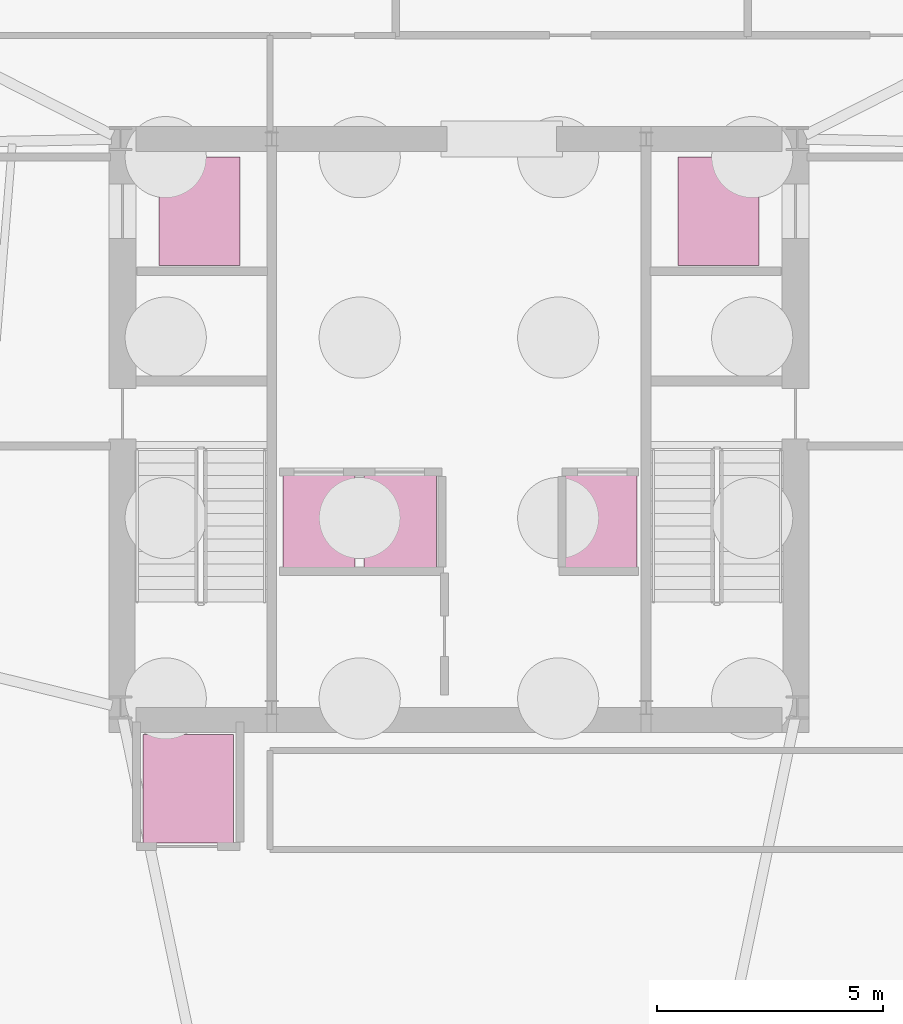
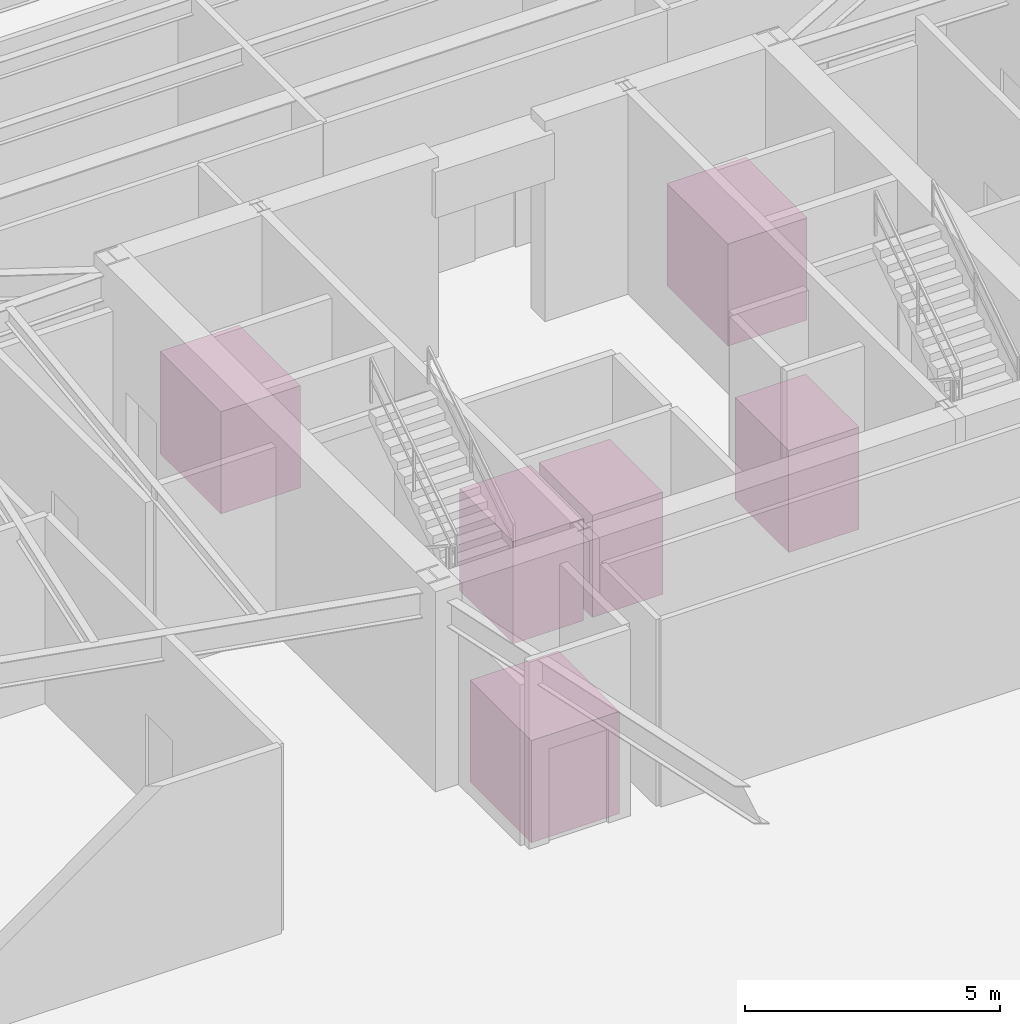
# One storey, part 11 of 11: 6 transport elements.
"""IFC4 building model written with IfcOpenShell, lengths in metres."""

import ifcopenshell
import ifcopenshell.guid

model = None  # the IFC model being written
_history = None  # IfcOwnerHistory: only IFC2X3 demands one
_inside = {}  # id of a spatial element -> (the spatial element, [elements in it])
_under = {}  # id of a project, library or spatial element -> (it, [spatial elements below it])
_declared = {}  # id of a project -> (the project, [libraries it declares])
_typed = {}  # id of a type object -> (the type object, [elements of that type])
_made_of = {}  # id of a material, layer set ... -> (it, [elements and type objects made of it])


def new_model(schema):
    """Start an empty IFC model of exactly this schema.

    Asked for "IFC4X3", IfcOpenShell would pick the latest addendum, in which some entities
    have other attributes; the version numbers below select the first issue.
    IFC2X3 requires an IfcOwnerHistory on every rooted entity: one is made here for all.
    """
    global model, _history
    if schema == "IFC4X3":
        model = ifcopenshell.file(schema_version=(4, 3, 0, 0))
    else:
        model = ifcopenshell.file(schema=schema)
    _inside.clear()
    _under.clear()
    _declared.clear()
    _typed.clear()
    _made_of.clear()
    _history = None
    if model.schema == "IFC2X3":
        org = make("IfcOrganization", Name="unknown")
        user = make(
            "IfcPersonAndOrganization",
            ThePerson=make("IfcPerson", FamilyName="unknown"),
            TheOrganization=org,
        )
        app = make(
            "IfcApplication",
            ApplicationDeveloper=org,
            Version="unknown",
            ApplicationFullName="unknown",
            ApplicationIdentifier="unknown",
        )
        _history = make(
            "IfcOwnerHistory",
            OwningUser=user,
            OwningApplication=app,
            ChangeAction="ADDED",
            CreationDate=0,
        )
    return model


def make(cls, **values):
    """One entity of the class cls with the attributes given. An attribute that is None is left unset."""
    return model.create_entity(
        cls, **{name: value for name, value in values.items() if value is not None}
    )


def rooted(cls, **values):
    """An entity with a GlobalId (a new one), such as an element, a storey or a relation."""
    return make(cls, GlobalId=ifcopenshell.guid.new(), OwnerHistory=_history, **values)


def si_unit(unit_type, name, prefix=None):
    """IfcSIUnit, for example si_unit("LENGTHUNIT", "METRE", prefix="MILLI")."""
    return make("IfcSIUnit", UnitType=unit_type, Prefix=prefix, Name=name)


def assignment(units):
    """IfcUnitAssignment: the units of a project."""
    return None if units is None else make("IfcUnitAssignment", Units=units)


def point(xyz):
    """IfcCartesianPoint."""
    return None if xyz is None else make("IfcCartesianPoint", Coordinates=xyz)


def direction(xyz):
    """IfcDirection."""
    return None if xyz is None else make("IfcDirection", DirectionRatios=xyz)


def frame(location, z_axis=None, x_axis=None):
    """IfcAxis2Placement3D, a coordinate frame: its origin and axes. An axis left out is left unset."""
    return make(
        "IfcAxis2Placement3D",
        Location=point(location),
        Axis=direction(z_axis),
        RefDirection=direction(x_axis),
    )


def frame_2d(location, x_axis=None):
    """IfcAxis2Placement2D, a coordinate frame in the plane: its origin and x axis."""
    return make(
        "IfcAxis2Placement2D", Location=point(location), RefDirection=direction(x_axis)
    )


def origin():
    """The frame at (0, 0, 0) with its axes left unset."""
    return frame((0.0, 0.0, 0.0))


def origin_2d():
    """The frame at (0, 0) in the plane with its x axis left unset."""
    return frame_2d((0.0, 0.0))


def place(relative_to, where):
    """IfcLocalPlacement: puts the frame where relative to a parent placement (None: the world)."""
    return make(
        "IfcLocalPlacement", PlacementRelTo=relative_to, RelativePlacement=where
    )


def context(
    kind, dimensions, precision=None, world=None, true_north=None, identifier=None
):
    """IfcGeometricRepresentationContext, for example the 3D "Model" context."""
    return make(
        "IfcGeometricRepresentationContext",
        ContextIdentifier=identifier,
        ContextType=kind,
        CoordinateSpaceDimension=dimensions,
        Precision=precision,
        WorldCoordinateSystem=world,
        TrueNorth=true_north,
    )


def subcontext(parent, identifier, kind, view, scale=None):
    """IfcGeometricRepresentationSubContext, for example "Body" below "Model"."""
    return make(
        "IfcGeometricRepresentationSubContext",
        ContextIdentifier=identifier,
        ContextType=kind,
        ParentContext=parent,
        TargetScale=scale,
        TargetView=view,
    )


def project(units=None, contexts=None):
    """IfcProject with its units and contexts."""
    return rooted(
        "IfcProject",
        Name="project",
        RepresentationContexts=contexts,
        UnitsInContext=assignment(units),
    )


def spatial(cls, under=None, at=None, **own):
    """A site, building, storey or space (cls), placed at a placement, below another one or the project."""
    s = rooted(cls, ObjectPlacement=at, **own)
    if under is not None:
        _under.setdefault(under.id(), (under, []))[1].append(s)
    return s


def profile(cls, at=None, kind="AREA", **sizes):
    """A parametric profile (cls). Its sizes go by their IFC names, for example OverallWidth=200.0."""
    return make(cls, ProfileType=kind, Position=at, **sizes)


def rectangle(**sizes):
    """IfcRectangleProfileDef."""
    return profile("IfcRectangleProfileDef", **sizes)


def extrude(swept, where, along, depth):
    """IfcExtrudedAreaSolid: the profile swept, set in the frame where, extruded along a direction by depth."""
    return make(
        "IfcExtrudedAreaSolid",
        SweptArea=swept,
        Position=where,
        ExtrudedDirection=direction(along),
        Depth=depth,
    )


def shape(context_of_items, identifier, shape_type, items):
    """IfcShapeRepresentation: the items that make up one representation, for example the "Body"."""
    return make(
        "IfcShapeRepresentation",
        ContextOfItems=context_of_items,
        RepresentationIdentifier=identifier,
        RepresentationType=shape_type,
        Items=items,
    )


def source(mapping_origin, context_of_items, identifier, shape_type, items):
    """IfcRepresentationMap: a shape defined once, which mapped items show again and again."""
    return make(
        "IfcRepresentationMap",
        MappingOrigin=mapping_origin,
        MappedRepresentation=shape(context_of_items, identifier, shape_type, items),
    )


def transform(
    local_origin,
    x_axis=None,
    y_axis=None,
    z_axis=None,
    scale=None,
    scale2=None,
    scale3=None,
    uniform=True,
):
    """IfcCartesianTransformationOperator3D, or its non-uniform kind. x_axis, y_axis, z_axis: its Axis1, 2, 3."""
    if uniform:
        return make(
            "IfcCartesianTransformationOperator3D",
            Axis1=direction(x_axis),
            Axis2=direction(y_axis),
            LocalOrigin=point(local_origin),
            Scale=scale,
            Axis3=direction(z_axis),
        )
    return make(
        "IfcCartesianTransformationOperator3DnonUniform",
        Axis1=direction(x_axis),
        Axis2=direction(y_axis),
        LocalOrigin=point(local_origin),
        Scale=scale,
        Axis3=direction(z_axis),
        Scale2=scale2,
        Scale3=scale3,
    )


def mapped(mapping_source, mapping_target):
    """IfcMappedItem: shows the shape of a source again, moved by a transform."""
    return make(
        "IfcMappedItem", MappingSource=mapping_source, MappingTarget=mapping_target
    )


def material(Name=None, Category=None):
    """IfcMaterial."""
    return make("IfcMaterial", Name=Name, Category=Category)


def made_of(thing, what):
    """Note that an element or type object is made of a material, layer set ...; save() writes the relation."""
    if what is not None:
        _made_of.setdefault(what.id(), (what, []))[1].append(thing)
    return thing


def type_object(cls, material=None, **own):
    """A type object (cls), such as IfcWallType, which elements share."""
    return made_of(rooted(cls, **own), material)


def type_shapes(of_type, sources):
    """Give a type object the sources (RepresentationMaps) that its elements show as mapped items."""
    of_type.RepresentationMaps = sources


def element(
    cls,
    number,
    at=None,
    inside=None,
    cuts=None,
    type_object=None,
    material=None,
    context=None,
    identifier="Body",
    shape_type=None,
    held_by="IfcProductDefinitionShape",
    body=None,
    shapes=None,
    **own,
):
    """One element of the class cls, such as IfcWall. Its Tag is "e" and its number.

    at: its placement. inside: the storey or other place that contains it. cuts: it is an
    opening in that element (IfcRelVoidsElement). A single representation is given by context,
    identifier, shape_type and body (its items); several are given by shapes. held_by: the class
    of the entity that holds the representations. save() writes the other relations.
    """
    e = rooted(cls, Tag="e%d" % number, ObjectPlacement=at, **own)
    if body is not None:
        shapes = [shape(context, identifier, shape_type, body)]
    if shapes is not None:
        e.Representation = make(held_by, Representations=shapes)
    if inside is not None:
        _inside.setdefault(inside.id(), (inside, []))[1].append(e)
    if cuts is not None:
        rooted(
            "IfcRelVoidsElement", RelatingBuildingElement=cuts, RelatedOpeningElement=e
        )
    if type_object is not None:
        _typed.setdefault(type_object.id(), (type_object, []))[1].append(e)
    return made_of(e, material)


def aggregate(whole, parts):
    """IfcRelAggregates: a whole, such as a stair, and the parts it consists of."""
    return rooted("IfcRelAggregates", RelatingObject=whole, RelatedObjects=parts)


def save(model, path):
    """Write the relations noted so far, then the file.

    IfcRelAggregates (storeys below a building ...), IfcRelContainedInSpatialStructure (elements
    in a storey), IfcRelDefinesByType, IfcRelAssociatesMaterial and IfcRelDeclares: one each for
    every whole, place, type object, material and project.
    """
    for whole, parts in _under.values():
        aggregate(whole, parts)
    for where, things in _inside.values():
        rooted(
            "IfcRelContainedInSpatialStructure",
            RelatedElements=things,
            RelatingStructure=where,
        )
    for kind, things in _typed.values():
        rooted("IfcRelDefinesByType", RelatedObjects=things, RelatingType=kind)
    for what, things in _made_of.values():
        rooted("IfcRelAssociatesMaterial", RelatedObjects=things, RelatingMaterial=what)
    for by, libraries in _declared.values():
        rooted("IfcRelDeclares", RelatingContext=by, RelatedDefinitions=libraries)
    model.write(path)


model = new_model("IFC4")

# Units and contexts
model_context = context("Model", 3, precision=1e-05, world=origin(), true_north=direction((0.0, 1.0)))
body_context = subcontext(model_context, "Body", "Model", "MODEL_VIEW")
ifc_project = project(units=[si_unit("LENGTHUNIT", "METRE"), si_unit("AREAUNIT", "SQUARE_METRE"), si_unit("VOLUMEUNIT", "CUBIC_METRE"), si_unit("PLANEANGLEUNIT", "RADIAN"), si_unit("MASSUNIT", "GRAM", prefix="KILO")], contexts=[model_context])

# Site, building, storey
site_placement = place(None, origin())
site = spatial("IfcSite", under=ifc_project, at=site_placement, CompositionType="ELEMENT")
building_placement = place(site_placement, origin())
building = spatial("IfcBuilding", under=site, at=building_placement, Name="Caelisora Broadcast Tower", CompositionType="ELEMENT")
storey_placement = place(building_placement, frame((0.0, 0.0, -4.800048828125)))
storey = spatial("IfcBuildingStorey", under=building, at=storey_placement, Name="B1", CompositionType="ELEMENT", Elevation=-4.800048828125)

# Transport elements
ifc_material = material(Name="Stainless Steel Grade 304 Lift Car Assembly", Category="steel")
transport_element_type_1 = type_object("IfcTransportElementType", Name="LFT-FF", PredefinedType="ELEVATOR", material=ifc_material)
shared_shape_1 = source(origin(), body_context, "Body", "SweptSolid", [
    extrude(rectangle(XDim=1.800048828125, YDim=2.39990234375, at=origin_2d()), origin(), (0.0, 0.0, 1.0), 2.449951171875),
])
type_shapes(transport_element_type_1, [shared_shape_1])
for number, where, z_axis, x_axis, name in (
    (1, (32.25, 28.39990234375, 0.0), (0.0, 0.0, 1.0), (1.0, 0.0, 0.0), "Lift FFL-1"),
    (2, (43.75, 28.39990234375, 0.0), (0.0, 0.0, 1.0), (1.0, 0.0, 0.0), "Lift FFL-2"),
):
    element("IfcTransportElement", number, at=place(storey_placement, frame(where, z_axis=z_axis, x_axis=x_axis)), inside=storey, type_object=transport_element_type_1, Name=name, PredefinedType="ELEVATOR", context=body_context, shape_type="MappedRepresentation", body=[
        mapped(shared_shape_1, transform((0.0, 0.0, 0.0), scale=1.0)),
    ])
transport_element_type_2 = type_object("IfcTransportElementType", Name="LFT-GL", PredefinedType="ELEVATOR", material=ifc_material)
shared_shape_2 = source(origin(), body_context, "Body", "SweptSolid", [
    extrude(rectangle(XDim=2.0, YDim=2.39990234375, at=origin_2d()), origin(), (0.0, 0.0, 1.0), 2.449951171875),
])
type_shapes(transport_element_type_2, [shared_shape_2])
transport_element_placement = place(storey_placement, frame((32.0, 15.60009765625, 0.0), z_axis=(0.0, 0.0, 1.0), x_axis=(1.0, 0.0, 0.0)))
element("IfcTransportElement", 3, at=transport_element_placement, inside=storey, type_object=transport_element_type_2, Name="Lift GL-1", PredefinedType="ELEVATOR", context=body_context, shape_type="MappedRepresentation", body=[
    mapped(shared_shape_2, transform((0.0, 0.0, 0.0), scale=1.0)),
])
transport_element_type_3 = type_object("IfcTransportElementType", Name="LFT-PL1", PredefinedType="ELEVATOR", material=ifc_material)
shared_shape_3 = source(origin(), body_context, "Body", "SweptSolid", [
    extrude(rectangle(XDim=1.60009765625, YDim=2.10009765625, at=origin_2d()), origin(), (0.0, 0.0, 1.0), 2.449951171875),
])
type_shapes(transport_element_type_3, [shared_shape_3])
for number, where, z_axis, x_axis, name in (
    (4, (34.89990234375, 21.530029296875, 0.0), (0.0, 0.0, 1.0), (1.0, 0.0, 0.0), "Lift PL-L1"),
    (5, (36.699951171875, 21.530029296875, 0.0), (0.0, 0.0, 1.0), (1.0, 0.0, 0.0), "Lift PL-L2"),
    (6, (41.14990234375, 21.530029296875, 0.0), (0.0, 0.0, 1.0), (1.0, 0.0, 0.0), "Lift PL-L3"),
):
    element("IfcTransportElement", number, at=place(storey_placement, frame(where, z_axis=z_axis, x_axis=x_axis)), inside=storey, type_object=transport_element_type_3, Name=name, PredefinedType="ELEVATOR", context=body_context, shape_type="MappedRepresentation", body=[
        mapped(shared_shape_3, transform((0.0, 0.0, 0.0), scale=1.0)),
    ])

save(model, "model.ifc")
